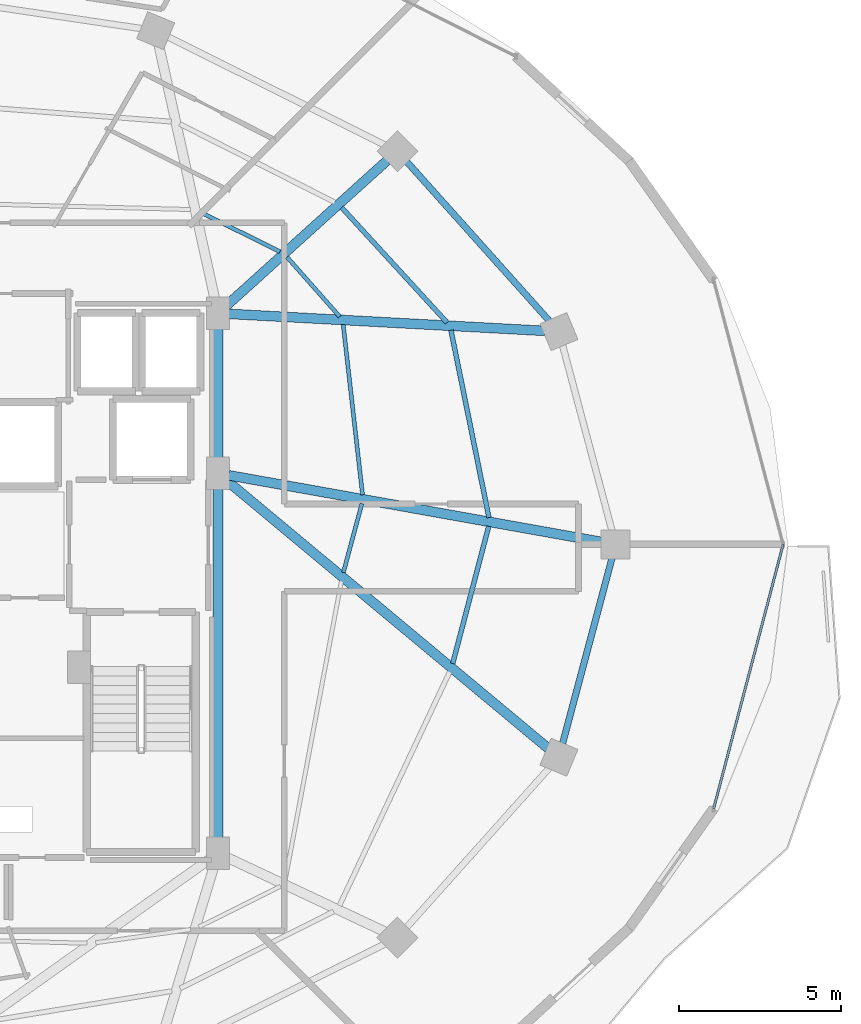
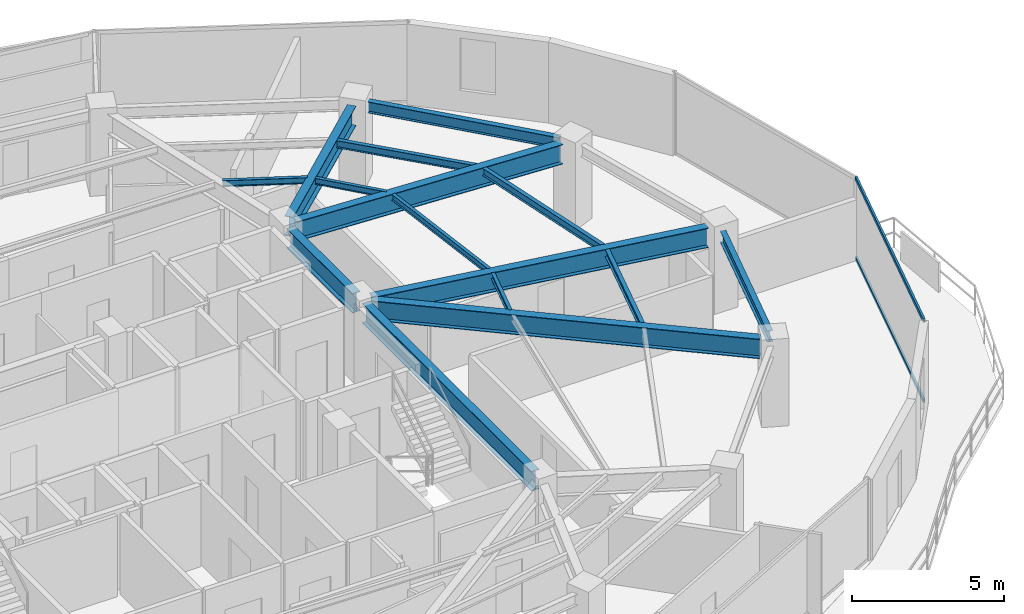
# One storey, part 14 of 31: 15 beams, 2 members, 1 element without a shape of its own.
"""IFC4 building model written with IfcOpenShell, lengths in metres."""

from ifc_helpers import new_model, si_unit, direction, frame, origin, origin_2d, place, context, subcontext, project, spatial, hollow_rectangle, i_section, extrude, material, material_profile, profile_set, type_object, element, aggregate, save


model = new_model("IFC4")

# Units and contexts
model_context = context("Model", 3, precision=1e-05, world=origin(), true_north=direction((0.0, 1.0)))
body_context = subcontext(model_context, "Body", "Model", "MODEL_VIEW")
ifc_project = project(units=[si_unit("LENGTHUNIT", "METRE"), si_unit("AREAUNIT", "SQUARE_METRE"), si_unit("VOLUMEUNIT", "CUBIC_METRE"), si_unit("PLANEANGLEUNIT", "RADIAN"), si_unit("MASSUNIT", "GRAM", prefix="KILO")], contexts=[model_context])

# Site, building, storey
site_placement = place(None, origin())
site = spatial("IfcSite", under=ifc_project, at=site_placement, CompositionType="ELEMENT")
building_placement = place(site_placement, origin())
building = spatial("IfcBuilding", under=site, at=building_placement, Name="Vorneva Point Tower", CompositionType="ELEMENT")
storey_placement = place(building_placement, frame((0.0, 0.0, 193.10009765625)))
storey = spatial("IfcBuildingStorey", under=building, at=storey_placement, Name="L52", CompositionType="ELEMENT", Elevation=193.10009765625)

# Beams
ifc_material_1 = material(Name="Steel S355", Category="steel")
ifc_material_profile_1 = material_profile(ifc_material_1, i_section(OverallWidth=0.300048828125, OverallDepth=0.7880859375, WebThickness=0.014404296875, FlangeThickness=0.02197265625, at=origin_2d()), Name="80Sh1")
ifc_profile_set_1 = profile_set([ifc_material_profile_1], Name="Steel S355")
beam_type_1 = type_object("IfcBeamType", Name="BM-GRD-80Sh1", PredefinedType="USERDEFINED", material=ifc_profile_set_1)
beam_1_placement = place(storey_placement, frame((60.618896484375, 26.0771484375, 2.845947265625), z_axis=(-0.984378602255, 0.176064668298, 0.0), x_axis=(-0.176064668298, -0.984378602255, 0.0)))
element("IfcBeam", 1, at=beam_1_placement, inside=storey, type_object=beam_type_1, Name="L52 Radial Primary Girder 01", ObjectType="GIRDER", PredefinedType="USERDEFINED", context=body_context, shape_type="SweptSolid", body=[
    extrude(i_section(OverallWidth=0.300048828125, OverallDepth=0.7880859375, WebThickness=0.014404296875, FlangeThickness=0.02197265625, at=origin_2d()), origin(), (0.0, 0.0, 1.0), 11.71728515625),
])
beam_2_placement = place(storey_placement, frame((58.85791015625, 32.605712890625, 2.845947265625), z_axis=(-0.998554028182, 0.053757351146, 0.0), x_axis=(-0.053757351146, -0.998554028182, 0.0)))
element("IfcBeam", 2, at=beam_2_placement, inside=storey, type_object=beam_type_1, Name="L52 Radial Primary Girder 02", ObjectType="GIRDER", PredefinedType="USERDEFINED", context=body_context, shape_type="SweptSolid", body=[
    extrude(i_section(OverallWidth=0.300048828125, OverallDepth=0.7880859375, WebThickness=0.014404296875, FlangeThickness=0.02197265625, at=origin_2d()), origin(), (0.0, 0.0, 1.0), 9.782470703125),
])
beam_3_placement = place(storey_placement, frame((53.973876953125, 37.86865234375, 2.845947265625), z_axis=(-0.742089778537, -0.670300500217, 0.0), x_axis=(0.670300500217, -0.742089778537, 0.0)))
element("IfcBeam", 3, at=beam_3_placement, inside=storey, type_object=beam_type_1, Name="L52 Radial Primary Girder 03", ObjectType="GIRDER", PredefinedType="USERDEFINED", context=body_context, shape_type="SweptSolid", body=[
    extrude(i_section(OverallWidth=0.300048828125, OverallDepth=0.7880859375, WebThickness=0.014404296875, FlangeThickness=0.02197265625, at=origin_2d()), origin(), (0.0, 0.0, 1.0), 6.699462890625),
])
beam_4_placement = place(storey_placement, frame((58.958740234375, 19.697998046875, 2.845947265625), z_axis=(-0.768417564517, 0.639948784311, 0.0), x_axis=(-0.639948784311, -0.768417564517, 0.0)))
element("IfcBeam", 4, at=beam_4_placement, inside=storey, type_object=beam_type_1, Name="L52 Radial Primary Girder 16", ObjectType="GIRDER", PredefinedType="USERDEFINED", context=body_context, shape_type="SweptSolid", body=[
    extrude(i_section(OverallWidth=0.300048828125, OverallDepth=0.7880859375, WebThickness=0.014404296875, FlangeThickness=0.02197265625, at=origin_2d()), origin(), (0.0, 0.0, 1.0), 12.945556640625),
])
beam_5_placement = place(storey_placement, frame((48.75, 16.77001953125, 2.845947265625), z_axis=(0.0, 1.0, 0.0), x_axis=(-1.0, 0.0, 0.0)))
element("IfcBeam", 5, at=beam_5_placement, inside=storey, type_object=beam_type_1, Name="L52 Core Tie Girder CT3", ObjectType="GIRDER", PredefinedType="USERDEFINED", context=body_context, shape_type="SweptSolid", body=[
    extrude(i_section(OverallWidth=0.300048828125, OverallDepth=0.7880859375, WebThickness=0.014404296875, FlangeThickness=0.02197265625, at=origin_2d()), origin(), (0.0, 0.0, 1.0), 11.10986328125),
])
beam_6_placement = place(storey_placement, frame((48.75, 28.52001953125, 2.845947265625), z_axis=(0.0, 1.0, 0.0), x_axis=(-1.0, 0.0, 0.0)))
element("IfcBeam", 6, at=beam_6_placement, inside=storey, type_object=beam_type_1, Name="L52 Core Tie Girder CT4", ObjectType="GIRDER", PredefinedType="USERDEFINED", context=body_context, shape_type="SweptSolid", body=[
    extrude(i_section(OverallWidth=0.300048828125, OverallDepth=0.7880859375, WebThickness=0.014404296875, FlangeThickness=0.02197265625, at=origin_2d()), origin(), (0.0, 0.0, 1.0), 4.31005859375),
])
ifc_material_profile_2 = material_profile(ifc_material_1, i_section(OverallWidth=0.1240234375, OverallDepth=0.248046875, WebThickness=0.0048828125, FlangeThickness=0.008056640625, at=origin_2d()), Name="25B1")
ifc_profile_set_2 = profile_set([ifc_material_profile_2], Name="Steel S355")
beam_type_2 = type_object("IfcBeamType", Name="BM-JST-25B1", PredefinedType="JOIST", material=ifc_profile_set_2)
beam_7_placement = place(storey_placement, frame((53.221435546875, 27.534423828125, 3.115966796875), z_axis=(-0.113032571733, 0.993591283037, 0.0), x_axis=(-0.993591283037, -0.113032571733, 0.0)))
element("IfcBeam", 7, at=beam_7_placement, inside=storey, type_object=beam_type_2, Name="L52 Secondary Floor Beam 2.01", PredefinedType="JOIST", context=body_context, shape_type="SweptSolid", body=[
    extrude(i_section(OverallWidth=0.1240234375, OverallDepth=0.248046875, WebThickness=0.0048828125, FlangeThickness=0.008056640625, at=origin_2d()), origin(), (0.0, 0.0, 1.0), 5.3046875),
])
beam_8_placement = place(storey_placement, frame((52.514892578125, 33.045654296875, 3.115966796875), z_axis=(-0.662362143704, 0.749183816288, 0.0), x_axis=(-0.749183816288, -0.662362143704, 0.0)))
element("IfcBeam", 8, at=beam_8_placement, inside=storey, type_object=beam_type_2, Name="L52 Secondary Floor Beam 2.02", PredefinedType="JOIST", context=body_context, shape_type="SweptSolid", body=[
    extrude(i_section(OverallWidth=0.1240234375, OverallDepth=0.248046875, WebThickness=0.0048828125, FlangeThickness=0.008056640625, at=origin_2d()), origin(), (0.0, 0.0, 1.0), 2.46337890625),
])
beam_9_placement = place(storey_placement, frame((50.66845703125, 35.055908203125, 3.115966796875), z_axis=(-0.896290822353, 0.443466753845, 0.0), x_axis=(-0.443466753845, -0.896290822353, 0.0)))
element("IfcBeam", 9, at=beam_9_placement, inside=storey, type_object=beam_type_2, Name="L52 Secondary Floor Beam 2.03", PredefinedType="JOIST", context=body_context, shape_type="SweptSolid", body=[
    extrude(i_section(OverallWidth=0.1240234375, OverallDepth=0.248046875, WebThickness=0.0048828125, FlangeThickness=0.008056640625, at=origin_2d()), origin(), (0.0, 0.0, 1.0), 2.791748046875),
])
beam_10_placement = place(storey_placement, frame((52.628173828125, 25.13330078125, 3.115966796875), z_axis=(0.259679836989, 0.965694766612, 0.0), x_axis=(-0.965694766612, 0.259679836989, 0.0)))
element("IfcBeam", 10, at=beam_10_placement, inside=storey, type_object=beam_type_2, Name="L52 Secondary Floor Beam 2.16", PredefinedType="JOIST", context=body_context, shape_type="SweptSolid", body=[
    extrude(i_section(OverallWidth=0.1240234375, OverallDepth=0.248046875, WebThickness=0.0048828125, FlangeThickness=0.008056640625, at=origin_2d()), origin(), (0.0, 0.0, 1.0), 2.20654296875),
])
ifc_material_profile_3 = material_profile(ifc_material_1, i_section(OverallWidth=0.14892578125, OverallDepth=0.298095703125, WebThickness=0.005615234375, FlangeThickness=0.008056640625, at=origin_2d()), Name="30B1")
ifc_profile_set_3 = profile_set([ifc_material_profile_3], Name="Steel S355")
beam_type_3 = type_object("IfcBeamType", Name="BM-JST-30B1", PredefinedType="JOIST", material=ifc_profile_set_3)
beam_11_placement = place(storey_placement, frame((57.131103515625, 26.831298828125, 3.0908203125), z_axis=(-0.198853680305, 0.980029190294, 0.0), x_axis=(-0.980029190294, -0.198853680305, 0.0)))
element("IfcBeam", 11, at=beam_11_placement, inside=storey, type_object=beam_type_3, Name="L52 Secondary Floor Beam 1.01", PredefinedType="JOIST", context=body_context, shape_type="SweptSolid", body=[
    extrude(i_section(OverallWidth=0.14892578125, OverallDepth=0.298095703125, WebThickness=0.005615234375, FlangeThickness=0.008056640625, at=origin_2d()), origin(), (0.0, 0.0, 1.0), 5.915283203125),
])
beam_12_placement = place(storey_placement, frame((55.834228515625, 32.865234375, 3.0908203125), z_axis=(-0.675759017991, 0.73712261504, 0.0), x_axis=(-0.73712261504, -0.675759017991, 0.0)))
element("IfcBeam", 12, at=beam_12_placement, inside=storey, type_object=beam_type_3, Name="L52 Secondary Floor Beam 1.02", PredefinedType="JOIST", context=body_context, shape_type="SweptSolid", body=[
    extrude(i_section(OverallWidth=0.14892578125, OverallDepth=0.298095703125, WebThickness=0.005615234375, FlangeThickness=0.008056640625, at=origin_2d()), origin(), (0.0, 0.0, 1.0), 4.822021484375),
])
beam_13_placement = place(storey_placement, frame((56.009521484375, 22.31689453125, 3.0908203125), z_axis=(0.253800559938, 0.967256571844, 0.0), x_axis=(-0.967256571844, 0.253800559938, 0.0)))
element("IfcBeam", 13, at=beam_13_placement, inside=storey, type_object=beam_type_3, Name="L52 Secondary Floor Beam 1.16", PredefinedType="JOIST", context=body_context, shape_type="SweptSolid", body=[
    extrude(i_section(OverallWidth=0.14892578125, OverallDepth=0.298095703125, WebThickness=0.005615234375, FlangeThickness=0.008056640625, at=origin_2d()), origin(), (0.0, 0.0, 1.0), 4.389404296875),
])
ifc_material_profile_4 = material_profile(ifc_material_1, i_section(OverallWidth=0.198974609375, OverallDepth=0.446044921875, WebThickness=0.008056640625, FlangeThickness=0.011962890625, at=origin_2d()), Name="45B1")
ifc_profile_set_4 = profile_set([ifc_material_profile_4], Name="Steel S355")
beam_type_4 = type_object("IfcBeamType", Name="BM-SPN-45B1", PredefinedType="SPANDREL", material=ifc_profile_set_4)
beam_14_placement = place(storey_placement, frame((59.005126953125, 32.90625, 3.016845703125), z_axis=(-0.66706970547, 0.744995307397, 0.0), x_axis=(-0.744995307397, -0.66706970547, 0.0)))
element("IfcBeam", 14, at=beam_14_placement, inside=storey, type_object=beam_type_4, Name="L52 Perimeter Spandrel Ring Beam 02", PredefinedType="SPANDREL", context=body_context, shape_type="SweptSolid", body=[
    extrude(i_section(OverallWidth=0.198974609375, OverallDepth=0.446044921875, WebThickness=0.008056640625, FlangeThickness=0.011962890625, at=origin_2d()), origin(), (0.0, 0.0, 1.0), 6.6201171875),
])
beam_15_placement = place(storey_placement, frame((59.407470703125, 19.838134765625, 3.016845703125), z_axis=(0.257578258003, 0.966257440336, 0.0), x_axis=(-0.966257440336, 0.257578258003, 0.0)))
element("IfcBeam", 15, at=beam_15_placement, inside=storey, type_object=beam_type_4, Name="L52 Perimeter Spandrel Ring Beam 16", PredefinedType="SPANDREL", context=body_context, shape_type="SweptSolid", body=[
    extrude(i_section(OverallWidth=0.198974609375, OverallDepth=0.446044921875, WebThickness=0.008056640625, FlangeThickness=0.011962890625, at=origin_2d()), origin(), (0.0, 0.0, 1.0), 5.94189453125),
])

# Curtain wall, members
ifc_material_2 = material(Name="Pale anodised aluminium", Category="aluminium")
curtain_wall_type = type_object("IfcCurtainWallType", Name="CW-RES-SYS", PredefinedType="NOTDEFINED", material=ifc_material_2)
curtain_wall_placement = place(storey_placement, origin())
curtain_wall = element("IfcCurtainWall", 16, at=curtain_wall_placement, inside=storey, type_object=curtain_wall_type, Name="L52 Unitised Curtain Wall CW-L52-R01", PredefinedType="NOTDEFINED")
ifc_material_profile_5 = material_profile(ifc_material_2, hollow_rectangle(XDim=0.074951171875, YDim=0.14990234375, WallThickness=0.00390625, at=origin_2d()), Name="AL-TRN 150x75x4")
ifc_profile_set_5 = profile_set([ifc_material_profile_5], Name="Pale anodised aluminium")
member_type = type_object("IfcMemberType", Name="CW-TRN-150", PredefinedType="USERDEFINED", material=ifc_profile_set_5)
member_1_placement = place(storey_placement, frame((64.0810546875, 17.82958984375, 0.02001953125), z_axis=(0.254362431281, 0.967108966742, 0.0), x_axis=(-0.967108966742, 0.254362431281, 0.0)))
member_1 = element("IfcMember", 17, at=member_1_placement, type_object=member_type, Name="CW-L52-R01 Transom 01.1", ObjectType="TRANSOM", PredefinedType="USERDEFINED", context=body_context, shape_type="SweptSolid", body=[
    extrude(hollow_rectangle(XDim=0.074951171875, YDim=0.14990234375, WallThickness=0.00390625, at=origin_2d()), origin(), (0.0, 0.0, 1.0), 8.4482421875),
])
member_2_placement = place(storey_placement, frame((64.0810546875, 17.82958984375, 3.219970703125), z_axis=(0.254362431281, 0.967108966742, 0.0), x_axis=(-0.967108966742, 0.254362431281, 0.0)))
member_2 = element("IfcMember", 18, at=member_2_placement, type_object=member_type, Name="CW-L52-R01 Transom 01.2", ObjectType="TRANSOM", PredefinedType="USERDEFINED", context=body_context, shape_type="SweptSolid", body=[
    extrude(hollow_rectangle(XDim=0.074951171875, YDim=0.14990234375, WallThickness=0.00390625, at=origin_2d()), origin(), (0.0, 0.0, 1.0), 8.4482421875),
])
aggregate(curtain_wall, [member_1, member_2])

save(model, "model.ifc")
